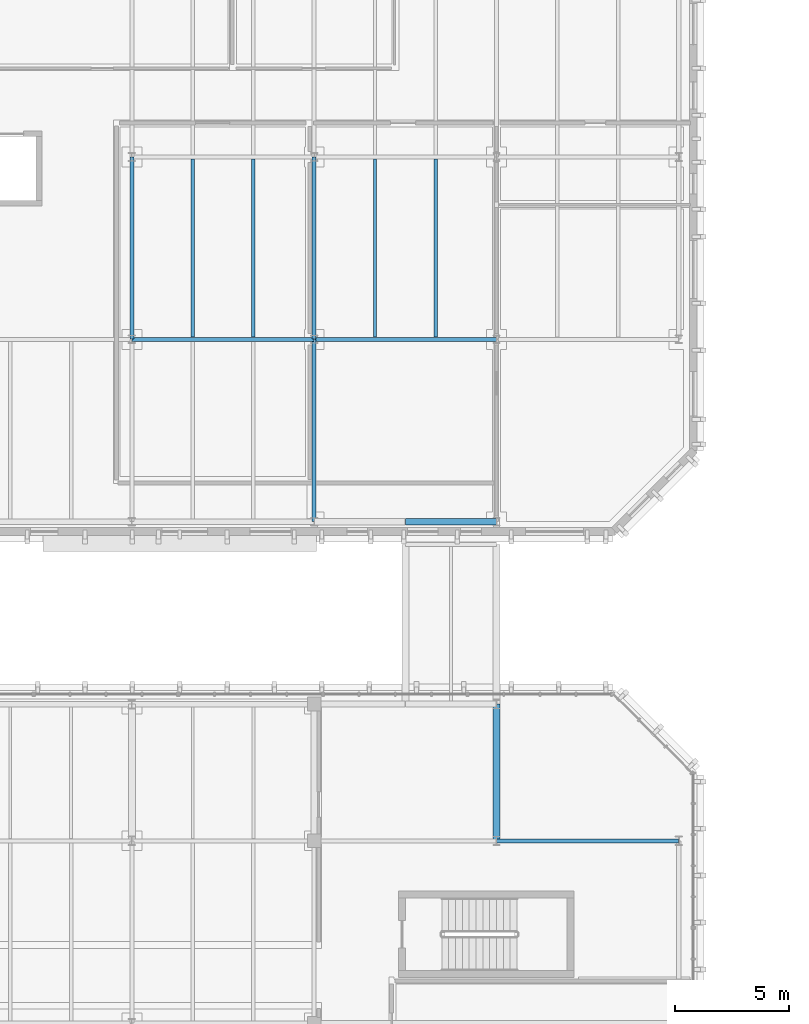
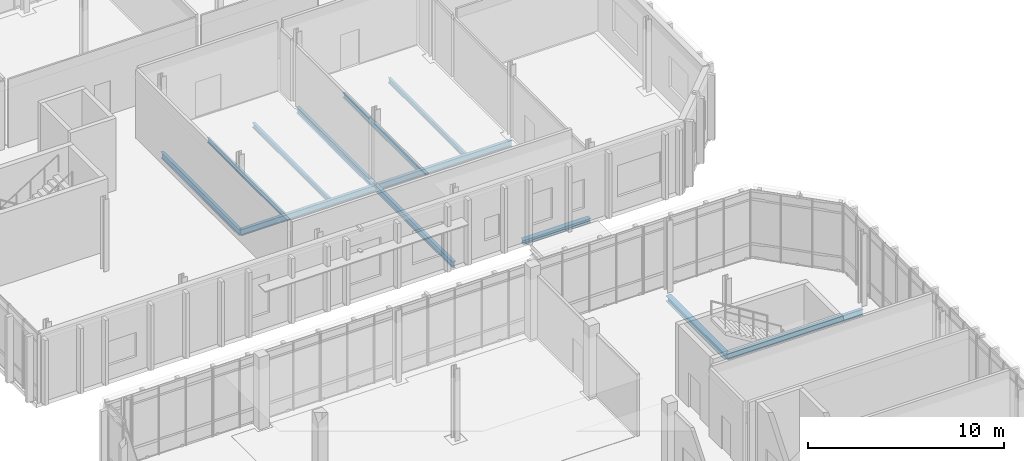
# One storey, part 19 of 62: 12 beams.
"""IFC4 building model written with IfcOpenShell, lengths in metres."""

from ifc_helpers import new_model, si_unit, direction, frame, origin, origin_2d, place, context, subcontext, project, spatial, i_section, extrude, material, material_profile, profile_set, type_object, element, save


model = new_model("IFC4")

# Units and contexts
model_context = context("Model", 3, precision=1e-05, world=origin(), true_north=direction((0.0, 1.0)))
body_context = subcontext(model_context, "Body", "Model", "MODEL_VIEW")
ifc_project = project(units=[si_unit("LENGTHUNIT", "METRE"), si_unit("AREAUNIT", "SQUARE_METRE"), si_unit("VOLUMEUNIT", "CUBIC_METRE"), si_unit("PLANEANGLEUNIT", "RADIAN"), si_unit("MASSUNIT", "GRAM", prefix="KILO")], contexts=[model_context])

# Site, building, storey
site_placement = place(None, origin())
site = spatial("IfcSite", under=ifc_project, at=site_placement, CompositionType="ELEMENT")
building_placement = place(site_placement, origin())
building = spatial("IfcBuilding", under=site, at=building_placement, Name="Cymarion Research Institute", CompositionType="ELEMENT")
storey_placement = place(building_placement, frame((0.0, 0.0, 18.300048828125)))
storey = spatial("IfcBuildingStorey", under=building, at=storey_placement, Name="L04", CompositionType="ELEMENT", Elevation=18.300048828125)

# Beams
ifc_material = material(Name="Steel S355", Category="steel")
ifc_material_profile_1 = material_profile(ifc_material, i_section(OverallWidth=0.179931640625, OverallDepth=0.39990234375, WebThickness=0.008544921875, FlangeThickness=0.013427734375, FilletRadius=0.02099609375, at=origin_2d()), Name="IPE 400")
ifc_profile_set_1 = profile_set([ifc_material_profile_1], Name="Steel S355")
beam_type_1 = type_object("IfcBeamType", Name="PRIMARY GIRDER BM05 IPE 400", PredefinedType="BEAM", material=ifc_profile_set_1)
for number, where, z_axis, x_axis, name in (
    (1, (38.60595703125, 71.5, -0.449951171875), (1.0, 0.0, 0.0), (0.0, 1.0, 0.0), "L04 V4 girder BM05 #1720"),
    (2, (22.60595703125, 93.5, -0.449951171875), (1.0, 0.0, 0.0), (0.0, 1.0, 0.0), "L04 V5 girder BM05 #1781"),
    (3, (30.60595703125, 93.5, -0.449951171875), (1.0, 0.0, 0.0), (0.0, 1.0, 0.0), "L04 V5 girder BM05 #1782"),
):
    element("IfcBeam", number, at=place(storey_placement, frame(where, z_axis=z_axis, x_axis=x_axis)), inside=storey, type_object=beam_type_1, Name=name, PredefinedType="BEAM", context=body_context, shape_type="SweptSolid", body=[
        extrude(i_section(OverallWidth=0.179931640625, OverallDepth=0.39990234375, WebThickness=0.008544921875, FlangeThickness=0.013427734375, FilletRadius=0.02099609375, at=origin_2d()), origin(), (0.0, 0.0, 1.0), 7.988037109375),
    ])
for number, where, z_axis, x_axis, name in (
    (4, (22.60009765625, 93.506103515625, -0.449951171875), (0.0, 1.0, 0.0), (-1.0, 0.0, 0.0), "L04 V5 girder BM05 #1804"),
    (5, (30.60009765625, 85.506103515625, -0.449951171875), (0.0, 1.0, 0.0), (-1.0, 0.0, 0.0), "L04 V5 girder BM05 #1807"),
    (6, (30.60009765625, 93.506103515625, -0.449951171875), (0.0, 1.0, 0.0), (-1.0, 0.0, 0.0), "L04 V5 girder BM05 #1808"),
):
    element("IfcBeam", number, at=place(storey_placement, frame(where, z_axis=z_axis, x_axis=x_axis)), inside=storey, type_object=beam_type_1, Name=name, PredefinedType="BEAM", context=body_context, shape_type="SweptSolid", body=[
        extrude(i_section(OverallWidth=0.179931640625, OverallDepth=0.39990234375, WebThickness=0.008544921875, FlangeThickness=0.013427734375, FilletRadius=0.02099609375, at=origin_2d()), origin(), (0.0, 0.0, 1.0), 7.98779296875),
    ])
ifc_material_profile_2 = material_profile(ifc_material, i_section(OverallWidth=0.300048828125, OverallDepth=0.35009765625, WebThickness=0.010009765625, FlangeThickness=0.017578125, FilletRadius=0.027099609375, at=origin_2d()), Name="HEA 360")
ifc_profile_set_2 = profile_set([ifc_material_profile_2], Name="Steel S355")
beam_type_2 = type_object("IfcBeamType", Name="PRIMARY GIRDER BM12 HEA 360", PredefinedType="BEAM", material=ifc_profile_set_2)
beam_1_placement = place(storey_placement, frame((38.60009765625, 71.506103515625, -0.425048828125), z_axis=(0.0, 1.0, 0.0), x_axis=(-1.0, 0.0, 0.0)))
element("IfcBeam", 7, at=beam_1_placement, inside=storey, type_object=beam_type_2, Name="L04 V4 girder BM12 #1744", PredefinedType="BEAM", context=body_context, shape_type="SweptSolid", body=[
    extrude(i_section(OverallWidth=0.300048828125, OverallDepth=0.35009765625, WebThickness=0.010009765625, FlangeThickness=0.017578125, FilletRadius=0.027099609375, at=origin_2d()), origin(), (0.0, 0.0, 1.0), 5.98779296875),
])
ifc_material_profile_3 = material_profile(ifc_material, i_section(OverallWidth=0.14990234375, OverallDepth=0.300048828125, WebThickness=0.007080078125, FlangeThickness=0.0107421875, FilletRadius=0.014892578125, at=origin_2d()), Name="IPE 300")
ifc_profile_set_3 = profile_set([ifc_material_profile_3], Name="Steel S355")
beam_type_3 = type_object("IfcBeamType", Name="SECONDARY JOIST JS02 IPE 300", PredefinedType="JOIST", material=ifc_profile_set_3)
for number, where, z_axis, x_axis, name in (
    (8, (25.2666015625, 93.593994140625, -0.400146484375), (0.0, 1.0, 0.0), (-1.0, 0.0, 0.0), "L04 V5 secondary joist JS02 #1823"),
    (9, (27.933349609375, 93.593994140625, -0.400146484375), (0.0, 1.0, 0.0), (-1.0, 0.0, 0.0), "L04 V5 secondary joist JS02 #1824"),
    (10, (33.2666015625, 93.593994140625, -0.400146484375), (0.0, 1.0, 0.0), (-1.0, 0.0, 0.0), "L04 V5 secondary joist JS02 #1825"),
    (11, (35.933349609375, 93.593994140625, -0.400146484375), (0.0, 1.0, 0.0), (-1.0, 0.0, 0.0), "L04 V5 secondary joist JS02 #1826"),
):
    element("IfcBeam", number, at=place(storey_placement, frame(where, z_axis=z_axis, x_axis=x_axis)), inside=storey, type_object=beam_type_3, Name=name, PredefinedType="JOIST", context=body_context, shape_type="SweptSolid", body=[
        extrude(i_section(OverallWidth=0.14990234375, OverallDepth=0.300048828125, WebThickness=0.007080078125, FlangeThickness=0.0107421875, FilletRadius=0.014892578125, at=origin_2d()), origin(), (0.0, 0.0, 1.0), 7.81201171875),
    ])
ifc_material_profile_4 = material_profile(ifc_material, i_section(OverallWidth=0.280029296875, OverallDepth=0.27001953125, WebThickness=0.008056640625, FlangeThickness=0.012939453125, FilletRadius=0.02392578125, at=origin_2d()), Name="HEA 280")
ifc_profile_set_4 = profile_set([ifc_material_profile_4], Name="Steel S355")
beam_type_4 = type_object("IfcBeamType", Name="SPANDREL BEAM SPB02 HEA 280", PredefinedType="SPANDREL", material=ifc_profile_set_4)
beam_2_placement = place(storey_placement, frame((34.60595703125, 85.5, -0.385009765625), z_axis=(1.0, 0.0, 0.0), x_axis=(0.0, 1.0, 0.0)))
element("IfcBeam", 12, at=beam_2_placement, inside=storey, type_object=beam_type_4, Name="L04 V5 girder SPB02 #1778", PredefinedType="SPANDREL", context=body_context, shape_type="SweptSolid", body=[
    extrude(i_section(OverallWidth=0.280029296875, OverallDepth=0.27001953125, WebThickness=0.008056640625, FlangeThickness=0.012939453125, FilletRadius=0.02392578125, at=origin_2d()), origin(), (0.0, 0.0, 1.0), 3.988037109375),
])

save(model, "model.ifc")
